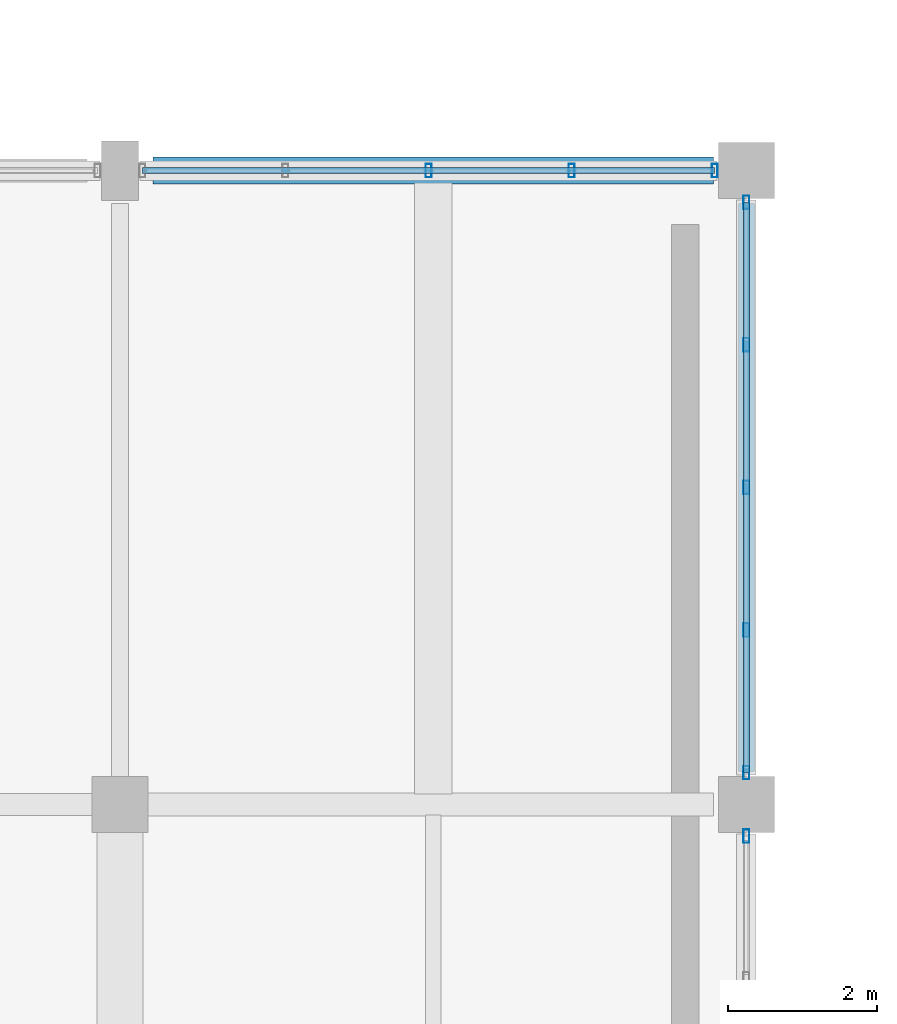
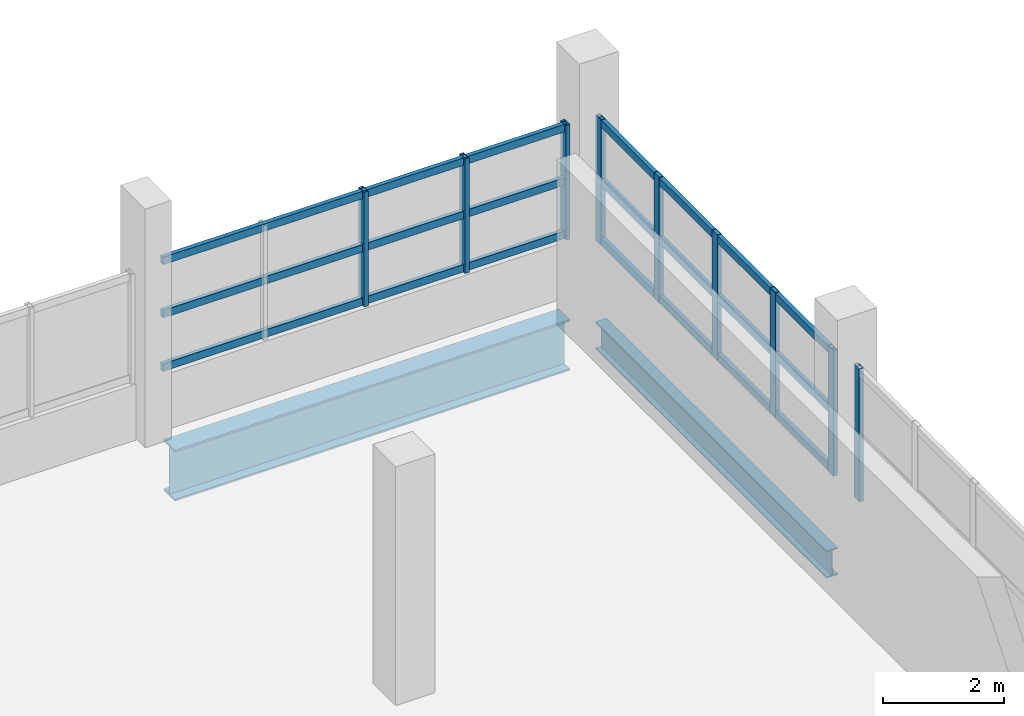
# One storey, part 71 of 117: 15 members, 2 beams, 3 elements without a shape of their own.
"""IFC4 building model written with IfcOpenShell, lengths in metres."""

from ifc_helpers import new_model, si_unit, direction, frame, origin, origin_2d, place, context, subcontext, project, spatial, hollow_rectangle, i_section, extrude, material, material_profile, profile_set, type_object, element, aggregate, save


model = new_model("IFC4")

# Units and contexts
model_context = context("Model", 3, precision=1e-05, world=origin(), true_north=direction((0.0, 1.0)))
body_context = subcontext(model_context, "Body", "Model", "MODEL_VIEW")
ifc_project = project(units=[si_unit("LENGTHUNIT", "METRE"), si_unit("AREAUNIT", "SQUARE_METRE"), si_unit("VOLUMEUNIT", "CUBIC_METRE"), si_unit("PLANEANGLEUNIT", "RADIAN"), si_unit("MASSUNIT", "GRAM", prefix="KILO")], contexts=[model_context])

# Site, building, storey
site_placement = place(None, origin())
site = spatial("IfcSite", under=ifc_project, at=site_placement, CompositionType="ELEMENT")
building_placement = place(site_placement, origin())
building = spatial("IfcBuilding", under=site, at=building_placement, Name="Solvento Point Concert Hall", CompositionType="ELEMENT")
storey_placement = place(building_placement, frame((0.0, 0.0, 5.39990234375)))
storey = spatial("IfcBuildingStorey", under=building, at=storey_placement, Name="L01", CompositionType="ELEMENT", Elevation=5.39990234375)

# Beams
ifc_material_1 = material(Name="Structural Steel ASTM A992 Grade 50", Category="steel")
ifc_material_profile_1 = material_profile(ifc_material_1, i_section(OverallWidth=0.214111328125, OverallDepth=0.549072265625, WebThickness=0.0146484375, FlangeThickness=0.023681640625, at=origin_2d()), Name="W21X93")
ifc_profile_set_1 = profile_set([ifc_material_profile_1], Name="Structural Steel ASTM A992 Grade 50")
beam_type_1 = type_object("IfcBeamType", Name="Beam_W21X93", PredefinedType="BEAM", material=ifc_profile_set_1)
beam_1_placement = place(storey_placement, frame((208.800048828125, 17.444091796875, -0.698486328125), z_axis=(0.0, 1.0, 0.0), x_axis=(-1.0, 0.0, 0.0)))
element("IfcBeam", 1, at=beam_1_placement, inside=storey, type_object=beam_type_1, Name="Primary girder B-48 L01", PredefinedType="BEAM", context=body_context, shape_type="SweptSolid", body=[
    extrude(i_section(OverallWidth=0.214111328125, OverallDepth=0.549072265625, WebThickness=0.0146484375, FlangeThickness=0.023681640625, at=origin_2d()), origin(), (0.0, 0.0, 1.0), 7.61181640625),
])
ifc_material_2 = material(Name="Structural Steel ASTM A992 Grade 50", Category="steel")
ifc_material_profile_2 = material_profile(ifc_material_2, i_section(OverallWidth=0.361083984375, OverallDepth=1.02587890625, WebThickness=0.01904296875, FlangeThickness=0.0361328125, at=origin_2d()), Name="W40X249")
ifc_profile_set_2 = profile_set([ifc_material_profile_2], Name="Structural Steel ASTM A992 Grade 50")
beam_type_2 = type_object("IfcBeamType", Name="Girder_W40X249", PredefinedType="USERDEFINED", material=ifc_profile_set_2)
beam_2_placement = place(storey_placement, frame((200.843994140625, 25.5, -0.93701171875), z_axis=(1.0, 0.0, 0.0), x_axis=(0.0, 1.0, 0.0)))
element("IfcBeam", 2, at=beam_2_placement, inside=storey, type_object=beam_type_2, Name="Primary girder B-29 L01", ObjectType="GIRDER", PredefinedType="USERDEFINED", context=body_context, shape_type="SweptSolid", body=[
    extrude(i_section(OverallWidth=0.361083984375, OverallDepth=1.02587890625, WebThickness=0.01904296875, FlangeThickness=0.0361328125, at=origin_2d()), origin(), (0.0, 0.0, 1.0), 7.511962890625),
])

# Curtain wall, members
ifc_material_3 = material(Name="Anodized Bronze Aluminium", Category="aluminium")
curtain_wall_type = type_object("IfcCurtainWallType", Name="CurtainWall_ChamberCircle", PredefinedType="USERDEFINED", material=ifc_material_3)
curtain_wall_1_placement = place(storey_placement, origin())
curtain_wall_1 = element("IfcCurtainWall", 3, at=curtain_wall_1_placement, inside=storey, type_object=curtain_wall_type, Name="Unitised curtain wall CW-32 UCW-L01-082", ObjectType="UNITISED CURTAIN WALL", PredefinedType="USERDEFINED")
ifc_material_4 = material(Name="Anodized Bronze Aluminium", Category="aluminium")
ifc_material_profile_3 = material_profile(ifc_material_4, hollow_rectangle(XDim=0.080078125, YDim=0.179931640625, WallThickness=0.00390625, at=origin_2d()), Name="CW-MUL-80X180")
ifc_profile_set_3 = profile_set([ifc_material_profile_3], Name="Anodized Bronze Aluminium")
member_type_1 = type_object("IfcMemberType", Name="Mullion_80x180", PredefinedType="MULLION", material=ifc_profile_set_3)
member_1_placement = place(storey_placement, frame((204.53759765625, 25.5, 1.1201171875), z_axis=(0.0, 0.0, 1.0), x_axis=(1.0, 0.0, 0.0)))
member_1 = element("IfcMember", 4, at=member_1_placement, type_object=member_type_1, Name="Curtain wall mullion ML-01", PredefinedType="MULLION", context=body_context, shape_type="SweptSolid", body=[
    extrude(hollow_rectangle(XDim=0.080078125, YDim=0.179931640625, WallThickness=0.00390625, at=origin_2d()), origin(), (0.0, 0.0, 1.0), 2.303955078125),
])
member_2_placement = place(storey_placement, frame((206.456298828125, 25.5, 1.1201171875), z_axis=(0.0, 0.0, 1.0), x_axis=(1.0, 0.0, 0.0)))
member_2 = element("IfcMember", 5, at=member_2_placement, type_object=member_type_1, Name="Curtain wall mullion ML-01", PredefinedType="MULLION", context=body_context, shape_type="SweptSolid", body=[
    extrude(hollow_rectangle(XDim=0.080078125, YDim=0.179931640625, WallThickness=0.00390625, at=origin_2d()), origin(), (0.0, 0.0, 1.0), 2.303955078125),
])
member_3_placement = place(storey_placement, frame((208.375, 25.5, 1.1201171875), z_axis=(0.0, 0.0, 1.0), x_axis=(1.0, 0.0, 0.0)))
member_3 = element("IfcMember", 6, at=member_3_placement, type_object=member_type_1, Name="Curtain wall mullion ML-01", PredefinedType="MULLION", context=body_context, shape_type="SweptSolid", body=[
    extrude(hollow_rectangle(XDim=0.080078125, YDim=0.179931640625, WallThickness=0.00390625, at=origin_2d()), origin(), (0.0, 0.0, 1.0), 2.303955078125),
])

# Curtain wall, member
curtain_wall_2_placement = place(storey_placement, origin())
curtain_wall_2 = element("IfcCurtainWall", 7, at=curtain_wall_2_placement, inside=storey, type_object=curtain_wall_type, Name="Unitised curtain wall CW-32 UCW-L01-084", ObjectType="UNITISED CURTAIN WALL", PredefinedType="USERDEFINED")
member_4_placement = place(storey_placement, frame((208.800048828125, 16.574951171875, 1.1201171875), z_axis=(0.0, 0.0, 1.0), x_axis=(1.0, 0.0, 0.0)))
member_4 = element("IfcMember", 8, at=member_4_placement, type_object=member_type_1, Name="Curtain wall mullion ML-01", PredefinedType="MULLION", context=body_context, shape_type="SweptSolid", body=[
    extrude(hollow_rectangle(XDim=0.080078125, YDim=0.179931640625, WallThickness=0.00390625, at=origin_2d()), origin(), (0.0, 0.0, 1.0), 2.675048828125),
])
aggregate(curtain_wall_2, [member_4])

# Curtain wall, members
curtain_wall_3_placement = place(storey_placement, origin())
curtain_wall_3 = element("IfcCurtainWall", 9, at=curtain_wall_3_placement, inside=storey, type_object=curtain_wall_type, Name="Unitised curtain wall CW-32 UCW-L01-085", ObjectType="UNITISED CURTAIN WALL", PredefinedType="USERDEFINED")
member_5_placement = place(storey_placement, frame((208.800048828125, 17.425048828125, 1.1201171875), z_axis=(0.0, 0.0, 1.0), x_axis=(1.0, 0.0, 0.0)))
member_5 = element("IfcMember", 10, at=member_5_placement, type_object=member_type_1, Name="Curtain wall mullion ML-01", PredefinedType="MULLION", context=body_context, shape_type="SweptSolid", body=[
    extrude(hollow_rectangle(XDim=0.080078125, YDim=0.179931640625, WallThickness=0.00390625, at=origin_2d()), origin(), (0.0, 0.0, 1.0), 2.531005859375),
])
member_6_placement = place(storey_placement, frame((208.800048828125, 19.33740234375, 1.1201171875), z_axis=(0.0, 0.0, 1.0), x_axis=(1.0, 0.0, 0.0)))
member_6 = element("IfcMember", 11, at=member_6_placement, type_object=member_type_1, Name="Curtain wall mullion ML-01", PredefinedType="MULLION", context=body_context, shape_type="SweptSolid", body=[
    extrude(hollow_rectangle(XDim=0.080078125, YDim=0.179931640625, WallThickness=0.00390625, at=origin_2d()), origin(), (0.0, 0.0, 1.0), 2.531005859375),
])
member_7_placement = place(storey_placement, frame((208.800048828125, 21.25, 1.1201171875), z_axis=(0.0, 0.0, 1.0), x_axis=(1.0, 0.0, 0.0)))
member_7 = element("IfcMember", 12, at=member_7_placement, type_object=member_type_1, Name="Curtain wall mullion ML-01", PredefinedType="MULLION", context=body_context, shape_type="SweptSolid", body=[
    extrude(hollow_rectangle(XDim=0.080078125, YDim=0.179931640625, WallThickness=0.00390625, at=origin_2d()), origin(), (0.0, 0.0, 1.0), 2.531005859375),
])
member_8_placement = place(storey_placement, frame((208.800048828125, 23.16259765625, 1.1201171875), z_axis=(0.0, 0.0, 1.0), x_axis=(1.0, 0.0, 0.0)))
member_8 = element("IfcMember", 13, at=member_8_placement, type_object=member_type_1, Name="Curtain wall mullion ML-01", PredefinedType="MULLION", context=body_context, shape_type="SweptSolid", body=[
    extrude(hollow_rectangle(XDim=0.080078125, YDim=0.179931640625, WallThickness=0.00390625, at=origin_2d()), origin(), (0.0, 0.0, 1.0), 2.531005859375),
])
member_9_placement = place(storey_placement, frame((208.800048828125, 25.074951171875, 1.1201171875), z_axis=(0.0, 0.0, 1.0), x_axis=(1.0, 0.0, 0.0)))
member_9 = element("IfcMember", 14, at=member_9_placement, type_object=member_type_1, Name="Curtain wall mullion ML-01", PredefinedType="MULLION", context=body_context, shape_type="SweptSolid", body=[
    extrude(hollow_rectangle(XDim=0.080078125, YDim=0.179931640625, WallThickness=0.00390625, at=origin_2d()), origin(), (0.0, 0.0, 1.0), 2.531005859375),
])

# Member
ifc_material_5 = material(Name="Anodized Bronze Aluminium", Category="aluminium")
ifc_material_profile_4 = material_profile(ifc_material_5, hollow_rectangle(XDim=0.080078125, YDim=0.14990234375, WallThickness=0.00390625, at=origin_2d()), Name="CW-TRN-80X150")
ifc_profile_set_4 = profile_set([ifc_material_profile_4], Name="Anodized Bronze Aluminium")
member_type_2 = type_object("IfcMemberType", Name="Transom_80x150", PredefinedType="USERDEFINED", material=ifc_profile_set_4)
member_10_placement = place(storey_placement, frame((200.699951171875, 25.5, 1.2001953125), z_axis=(1.0, 0.0, 0.0), x_axis=(0.0, 1.0, 0.0)))
member_10 = element("IfcMember", 15, at=member_10_placement, type_object=member_type_2, Name="Curtain wall transom TR-01", ObjectType="TRANSOM", PredefinedType="USERDEFINED", context=body_context, shape_type="SweptSolid", body=[
    extrude(hollow_rectangle(XDim=0.080078125, YDim=0.14990234375, WallThickness=0.00390625, at=origin_2d()), origin(), (0.0, 0.0, 1.0), 7.675048828125),
])

member_11_placement = place(storey_placement, frame((200.699951171875, 25.5, 2.272216796875), z_axis=(1.0, 0.0, 0.0), x_axis=(0.0, 1.0, 0.0)))
member_11 = element("IfcMember", 16, at=member_11_placement, type_object=member_type_2, Name="Curtain wall transom TR-01", ObjectType="TRANSOM", PredefinedType="USERDEFINED", context=body_context, shape_type="SweptSolid", body=[
    extrude(hollow_rectangle(XDim=0.080078125, YDim=0.14990234375, WallThickness=0.00390625, at=origin_2d()), origin(), (0.0, 0.0, 1.0), 7.675048828125),
])

member_12_placement = place(storey_placement, frame((200.699951171875, 25.5, 3.343994140625), z_axis=(1.0, 0.0, 0.0), x_axis=(0.0, 1.0, 0.0)))
member_12 = element("IfcMember", 17, at=member_12_placement, type_object=member_type_2, Name="Curtain wall transom TR-01", ObjectType="TRANSOM", PredefinedType="USERDEFINED", context=body_context, shape_type="SweptSolid", body=[
    extrude(hollow_rectangle(XDim=0.080078125, YDim=0.14990234375, WallThickness=0.00390625, at=origin_2d()), origin(), (0.0, 0.0, 1.0), 7.675048828125),
])

aggregate(curtain_wall_1, [member_1, member_2, member_3, member_10, member_11, member_12])

member_13_placement = place(storey_placement, frame((208.800048828125, 17.425048828125, 1.2001953125), z_axis=(0.0, 1.0, 0.0), x_axis=(-1.0, 0.0, 0.0)))
member_13 = element("IfcMember", 18, at=member_13_placement, type_object=member_type_2, Name="Curtain wall transom TR-01", ObjectType="TRANSOM", PredefinedType="USERDEFINED", context=body_context, shape_type="SweptSolid", body=[
    extrude(hollow_rectangle(XDim=0.080078125, YDim=0.14990234375, WallThickness=0.00390625, at=origin_2d()), origin(), (0.0, 0.0, 1.0), 7.64990234375),
])

member_14_placement = place(storey_placement, frame((208.800048828125, 17.425048828125, 2.385498046875), z_axis=(0.0, 1.0, 0.0), x_axis=(-1.0, 0.0, 0.0)))
member_14 = element("IfcMember", 19, at=member_14_placement, type_object=member_type_2, Name="Curtain wall transom TR-01", ObjectType="TRANSOM", PredefinedType="USERDEFINED", context=body_context, shape_type="SweptSolid", body=[
    extrude(hollow_rectangle(XDim=0.080078125, YDim=0.14990234375, WallThickness=0.00390625, at=origin_2d()), origin(), (0.0, 0.0, 1.0), 7.64990234375),
])

member_15_placement = place(storey_placement, frame((208.800048828125, 17.425048828125, 3.571044921875), z_axis=(0.0, 1.0, 0.0), x_axis=(-1.0, 0.0, 0.0)))
member_15 = element("IfcMember", 20, at=member_15_placement, type_object=member_type_2, Name="Curtain wall transom TR-01", ObjectType="TRANSOM", PredefinedType="USERDEFINED", context=body_context, shape_type="SweptSolid", body=[
    extrude(hollow_rectangle(XDim=0.080078125, YDim=0.14990234375, WallThickness=0.00390625, at=origin_2d()), origin(), (0.0, 0.0, 1.0), 7.64990234375),
])

aggregate(curtain_wall_3, [member_5, member_6, member_7, member_8, member_9, member_13, member_14, member_15])

save(model, "model.ifc")
